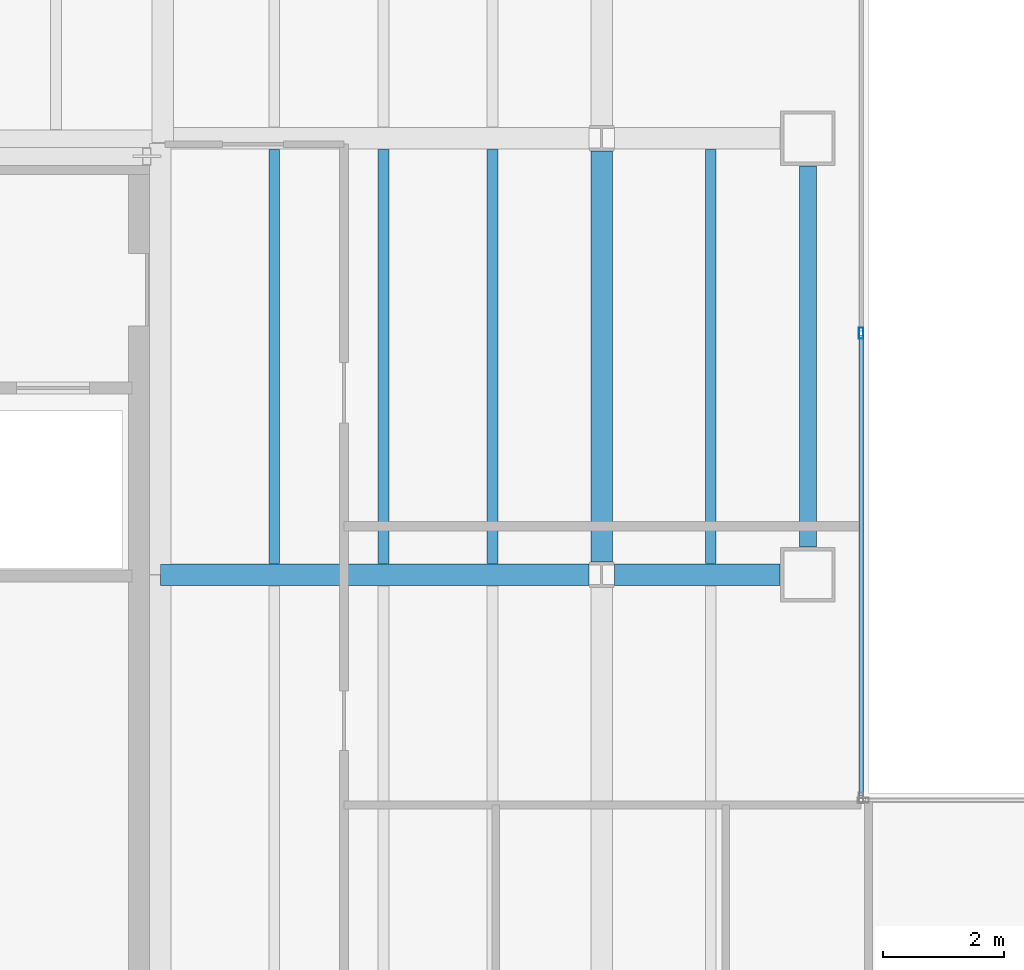
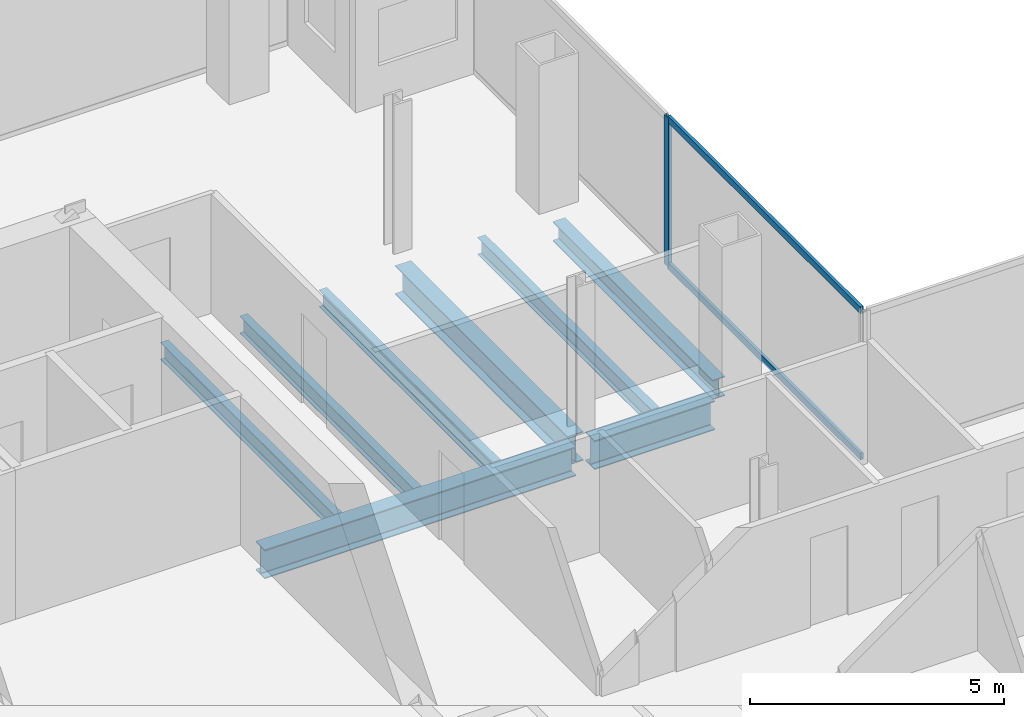
# One storey, part 8 of 23: 8 beams, 3 members, 1 element without a shape of its own.
"""IFC4 building model written with IfcOpenShell, lengths in metres."""

import ifcopenshell
import ifcopenshell.guid

model = None  # the IFC model being written
_history = None  # IfcOwnerHistory: only IFC2X3 demands one
_inside = {}  # id of a spatial element -> (the spatial element, [elements in it])
_under = {}  # id of a project, library or spatial element -> (it, [spatial elements below it])
_declared = {}  # id of a project -> (the project, [libraries it declares])
_typed = {}  # id of a type object -> (the type object, [elements of that type])
_made_of = {}  # id of a material, layer set ... -> (it, [elements and type objects made of it])


def new_model(schema):
    """Start an empty IFC model of exactly this schema.

    Asked for "IFC4X3", IfcOpenShell would pick the latest addendum, in which some entities
    have other attributes; the version numbers below select the first issue.
    IFC2X3 requires an IfcOwnerHistory on every rooted entity: one is made here for all.
    """
    global model, _history
    if schema == "IFC4X3":
        model = ifcopenshell.file(schema_version=(4, 3, 0, 0))
    else:
        model = ifcopenshell.file(schema=schema)
    _inside.clear()
    _under.clear()
    _declared.clear()
    _typed.clear()
    _made_of.clear()
    _history = None
    if model.schema == "IFC2X3":
        org = make("IfcOrganization", Name="unknown")
        user = make(
            "IfcPersonAndOrganization",
            ThePerson=make("IfcPerson", FamilyName="unknown"),
            TheOrganization=org,
        )
        app = make(
            "IfcApplication",
            ApplicationDeveloper=org,
            Version="unknown",
            ApplicationFullName="unknown",
            ApplicationIdentifier="unknown",
        )
        _history = make(
            "IfcOwnerHistory",
            OwningUser=user,
            OwningApplication=app,
            ChangeAction="ADDED",
            CreationDate=0,
        )
    return model


def make(cls, **values):
    """One entity of the class cls with the attributes given. An attribute that is None is left unset."""
    return model.create_entity(
        cls, **{name: value for name, value in values.items() if value is not None}
    )


def rooted(cls, **values):
    """An entity with a GlobalId (a new one), such as an element, a storey or a relation."""
    return make(cls, GlobalId=ifcopenshell.guid.new(), OwnerHistory=_history, **values)


def si_unit(unit_type, name, prefix=None):
    """IfcSIUnit, for example si_unit("LENGTHUNIT", "METRE", prefix="MILLI")."""
    return make("IfcSIUnit", UnitType=unit_type, Prefix=prefix, Name=name)


def assignment(units):
    """IfcUnitAssignment: the units of a project."""
    return None if units is None else make("IfcUnitAssignment", Units=units)


def point(xyz):
    """IfcCartesianPoint."""
    return None if xyz is None else make("IfcCartesianPoint", Coordinates=xyz)


def direction(xyz):
    """IfcDirection."""
    return None if xyz is None else make("IfcDirection", DirectionRatios=xyz)


def frame(location, z_axis=None, x_axis=None):
    """IfcAxis2Placement3D, a coordinate frame: its origin and axes. An axis left out is left unset."""
    return make(
        "IfcAxis2Placement3D",
        Location=point(location),
        Axis=direction(z_axis),
        RefDirection=direction(x_axis),
    )


def frame_2d(location, x_axis=None):
    """IfcAxis2Placement2D, a coordinate frame in the plane: its origin and x axis."""
    return make(
        "IfcAxis2Placement2D", Location=point(location), RefDirection=direction(x_axis)
    )


def origin():
    """The frame at (0, 0, 0) with its axes left unset."""
    return frame((0.0, 0.0, 0.0))


def origin_2d():
    """The frame at (0, 0) in the plane with its x axis left unset."""
    return frame_2d((0.0, 0.0))


def place(relative_to, where):
    """IfcLocalPlacement: puts the frame where relative to a parent placement (None: the world)."""
    return make(
        "IfcLocalPlacement", PlacementRelTo=relative_to, RelativePlacement=where
    )


def context(
    kind, dimensions, precision=None, world=None, true_north=None, identifier=None
):
    """IfcGeometricRepresentationContext, for example the 3D "Model" context."""
    return make(
        "IfcGeometricRepresentationContext",
        ContextIdentifier=identifier,
        ContextType=kind,
        CoordinateSpaceDimension=dimensions,
        Precision=precision,
        WorldCoordinateSystem=world,
        TrueNorth=true_north,
    )


def subcontext(parent, identifier, kind, view, scale=None):
    """IfcGeometricRepresentationSubContext, for example "Body" below "Model"."""
    return make(
        "IfcGeometricRepresentationSubContext",
        ContextIdentifier=identifier,
        ContextType=kind,
        ParentContext=parent,
        TargetScale=scale,
        TargetView=view,
    )


def project(units=None, contexts=None):
    """IfcProject with its units and contexts."""
    return rooted(
        "IfcProject",
        Name="project",
        RepresentationContexts=contexts,
        UnitsInContext=assignment(units),
    )


def spatial(cls, under=None, at=None, **own):
    """A site, building, storey or space (cls), placed at a placement, below another one or the project."""
    s = rooted(cls, ObjectPlacement=at, **own)
    if under is not None:
        _under.setdefault(under.id(), (under, []))[1].append(s)
    return s


def profile(cls, at=None, kind="AREA", **sizes):
    """A parametric profile (cls). Its sizes go by their IFC names, for example OverallWidth=200.0."""
    return make(cls, ProfileType=kind, Position=at, **sizes)


def hollow_rectangle(**sizes):
    """IfcRectangleHollowProfileDef."""
    return profile("IfcRectangleHollowProfileDef", **sizes)


def i_section(**sizes):
    """IfcIShapeProfileDef."""
    return profile("IfcIShapeProfileDef", **sizes)


def extrude(swept, where, along, depth):
    """IfcExtrudedAreaSolid: the profile swept, set in the frame where, extruded along a direction by depth."""
    return make(
        "IfcExtrudedAreaSolid",
        SweptArea=swept,
        Position=where,
        ExtrudedDirection=direction(along),
        Depth=depth,
    )


def shape(context_of_items, identifier, shape_type, items):
    """IfcShapeRepresentation: the items that make up one representation, for example the "Body"."""
    return make(
        "IfcShapeRepresentation",
        ContextOfItems=context_of_items,
        RepresentationIdentifier=identifier,
        RepresentationType=shape_type,
        Items=items,
    )


def material(Name=None, Category=None):
    """IfcMaterial."""
    return make("IfcMaterial", Name=Name, Category=Category)


def material_profile(
    of_material, cross_section, Name=None, Category=None, Priority=None
):
    """IfcMaterialProfile: a cross section and its material."""
    return make(
        "IfcMaterialProfile",
        Name=Name,
        Material=of_material,
        Profile=cross_section,
        Priority=Priority,
        Category=Category,
    )


def profile_set(profiles, Name=None, composite=None):
    """IfcMaterialProfileSet."""
    return make(
        "IfcMaterialProfileSet",
        Name=Name,
        MaterialProfiles=profiles,
        CompositeProfile=composite,
    )


def made_of(thing, what):
    """Note that an element or type object is made of a material, layer set ...; save() writes the relation."""
    if what is not None:
        _made_of.setdefault(what.id(), (what, []))[1].append(thing)
    return thing


def type_object(cls, material=None, **own):
    """A type object (cls), such as IfcWallType, which elements share."""
    return made_of(rooted(cls, **own), material)


def element(
    cls,
    number,
    at=None,
    inside=None,
    cuts=None,
    type_object=None,
    material=None,
    context=None,
    identifier="Body",
    shape_type=None,
    held_by="IfcProductDefinitionShape",
    body=None,
    shapes=None,
    **own,
):
    """One element of the class cls, such as IfcWall. Its Tag is "e" and its number.

    at: its placement. inside: the storey or other place that contains it. cuts: it is an
    opening in that element (IfcRelVoidsElement). A single representation is given by context,
    identifier, shape_type and body (its items); several are given by shapes. held_by: the class
    of the entity that holds the representations. save() writes the other relations.
    """
    e = rooted(cls, Tag="e%d" % number, ObjectPlacement=at, **own)
    if body is not None:
        shapes = [shape(context, identifier, shape_type, body)]
    if shapes is not None:
        e.Representation = make(held_by, Representations=shapes)
    if inside is not None:
        _inside.setdefault(inside.id(), (inside, []))[1].append(e)
    if cuts is not None:
        rooted(
            "IfcRelVoidsElement", RelatingBuildingElement=cuts, RelatedOpeningElement=e
        )
    if type_object is not None:
        _typed.setdefault(type_object.id(), (type_object, []))[1].append(e)
    return made_of(e, material)


def aggregate(whole, parts):
    """IfcRelAggregates: a whole, such as a stair, and the parts it consists of."""
    return rooted("IfcRelAggregates", RelatingObject=whole, RelatedObjects=parts)


def save(model, path):
    """Write the relations noted so far, then the file.

    IfcRelAggregates (storeys below a building ...), IfcRelContainedInSpatialStructure (elements
    in a storey), IfcRelDefinesByType, IfcRelAssociatesMaterial and IfcRelDeclares: one each for
    every whole, place, type object, material and project.
    """
    for whole, parts in _under.values():
        aggregate(whole, parts)
    for where, things in _inside.values():
        rooted(
            "IfcRelContainedInSpatialStructure",
            RelatedElements=things,
            RelatingStructure=where,
        )
    for kind, things in _typed.values():
        rooted("IfcRelDefinesByType", RelatedObjects=things, RelatingType=kind)
    for what, things in _made_of.values():
        rooted("IfcRelAssociatesMaterial", RelatedObjects=things, RelatingMaterial=what)
    for by, libraries in _declared.values():
        rooted("IfcRelDeclares", RelatingContext=by, RelatedDefinitions=libraries)
    model.write(path)


model = new_model("IFC4")

# Units and contexts
model_context = context("Model", 3, precision=1e-05, world=origin(), true_north=direction((0.0, 1.0)))
body_context = subcontext(model_context, "Body", "Model", "MODEL_VIEW")
ifc_project = project(units=[si_unit("LENGTHUNIT", "METRE"), si_unit("AREAUNIT", "SQUARE_METRE"), si_unit("VOLUMEUNIT", "CUBIC_METRE"), si_unit("PLANEANGLEUNIT", "RADIAN"), si_unit("MASSUNIT", "GRAM", prefix="KILO")], contexts=[model_context])

# Site, building, storey
site_placement = place(None, origin())
site = spatial("IfcSite", under=ifc_project, at=site_placement, CompositionType="ELEMENT")
building_placement = place(site_placement, origin())
building = spatial("IfcBuilding", under=site, at=building_placement, Name="Cobrela Telecom Tower", CompositionType="ELEMENT")
storey_placement = place(building_placement, frame((0.0, 0.0, 144.550048828125)))
storey = spatial("IfcBuildingStorey", under=building, at=storey_placement, Name="L36", CompositionType="ELEMENT", Elevation=144.550048828125)

# Beams
ifc_material_1 = material(Name="Steel ASTM A992 Grade 50", Category="steel")
ifc_material_profile_1 = material_profile(ifc_material_1, i_section(OverallWidth=0.35595703125, OverallDepth=0.696044921875, WebThickness=0.015380859375, FlangeThickness=0.024658203125, FilletRadius=0.01806640625, at=origin_2d()), Name="W27X146")
ifc_profile_set_1 = profile_set([ifc_material_profile_1], Name="Steel ASTM A992 Grade 50")
beam_type_1 = type_object("IfcBeamType", Name="BM-GIRD-05", PredefinedType="USERDEFINED", material=ifc_profile_set_1)
beam_1_placement = place(storey_placement, frame((14.324951171875, 28.800048828125, -0.6181640625), z_axis=(1.0, 0.0, 0.0), x_axis=(0.0, 1.0, 0.0)))
element("IfcBeam", 1, at=beam_1_placement, inside=storey, type_object=beam_type_1, Name="L36 Primary Girder X23", ObjectType="GIRDER", PredefinedType="USERDEFINED", context=body_context, shape_type="SweptSolid", body=[
    extrude(i_section(OverallWidth=0.35595703125, OverallDepth=0.696044921875, WebThickness=0.015380859375, FlangeThickness=0.024658203125, FilletRadius=0.01806640625, at=origin_2d()), origin(), (0.0, 0.0, 1.0), 7.0654296875),
])
beam_2_placement = place(storey_placement, frame((21.8095703125, 28.800048828125, -0.6181640625), z_axis=(1.0, 0.0, 0.0), x_axis=(0.0, 1.0, 0.0)))
element("IfcBeam", 2, at=beam_2_placement, inside=storey, type_object=beam_type_1, Name="L36 Primary Girder X24", ObjectType="GIRDER", PredefinedType="USERDEFINED", context=body_context, shape_type="SweptSolid", body=[
    extrude(i_section(OverallWidth=0.35595703125, OverallDepth=0.696044921875, WebThickness=0.015380859375, FlangeThickness=0.024658203125, FilletRadius=0.01806640625, at=origin_2d()), origin(), (0.0, 0.0, 1.0), 2.7353515625),
])
beam_3_placement = place(storey_placement, frame((21.60009765625, 29.009521484375, -0.6181640625), z_axis=(0.0, 1.0, 0.0), x_axis=(-1.0, 0.0, 0.0)))
element("IfcBeam", 3, at=beam_3_placement, inside=storey, type_object=beam_type_1, Name="L36 Primary Girder Y43", ObjectType="GIRDER", PredefinedType="USERDEFINED", context=body_context, shape_type="SweptSolid", body=[
    extrude(i_section(OverallWidth=0.35595703125, OverallDepth=0.696044921875, WebThickness=0.015380859375, FlangeThickness=0.024658203125, FilletRadius=0.01806640625, at=origin_2d()), origin(), (0.0, 0.0, 1.0), 6.781005859375),
])
ifc_material_profile_2 = material_profile(ifc_material_1, i_section(OverallWidth=0.179931640625, OverallDepth=0.4169921875, WebThickness=0.010986328125, FlangeThickness=0.01806640625, FilletRadius=0.011962890625, at=origin_2d()), Name="W16X57")
ifc_profile_set_2 = profile_set([ifc_material_profile_2], Name="Steel ASTM A992 Grade 50")
beam_type_2 = type_object("IfcBeamType", Name="BM-JOIST-04", PredefinedType="JOIST", material=ifc_profile_set_2)
for number, where, z_axis, x_axis, name in (
    (4, (16.199951171875, 28.98291015625, -0.478515625), (0.0, 1.0, 0.0), (-1.0, 0.0, 0.0), "L36 Secondary Composite Floor Beam J07"),
    (5, (18.0, 28.98291015625, -0.478515625), (0.0, 1.0, 0.0), (-1.0, 0.0, 0.0), "L36 Secondary Composite Floor Beam J12"),
    (6, (19.800048828125, 28.98291015625, -0.478515625), (0.0, 1.0, 0.0), (-1.0, 0.0, 0.0), "L36 Secondary Composite Floor Beam J17"),
    (7, (23.39990234375, 28.98291015625, -0.478515625), (0.0, 1.0, 0.0), (-1.0, 0.0, 0.0), "L36 Secondary Composite Floor Beam J22"),
):
    element("IfcBeam", number, at=place(storey_placement, frame(where, z_axis=z_axis, x_axis=x_axis)), inside=storey, type_object=beam_type_2, Name=name, PredefinedType="JOIST", context=body_context, shape_type="SweptSolid", body=[
        extrude(i_section(OverallWidth=0.179931640625, OverallDepth=0.4169921875, WebThickness=0.010986328125, FlangeThickness=0.01806640625, FilletRadius=0.011962890625, at=origin_2d()), origin(), (0.0, 0.0, 1.0), 6.833984375),
    ])
ifc_material_profile_3 = material_profile(ifc_material_1, i_section(OverallWidth=0.281982421875, OverallDepth=0.467041015625, WebThickness=0.01220703125, FlangeThickness=0.01953125, FilletRadius=0.012939453125, at=origin_2d()), Name="W18X86")
ifc_profile_set_3 = profile_set([ifc_material_profile_3], Name="Steel ASTM A992 Grade 50")
beam_type_3 = type_object("IfcBeamType", Name="BM-SPAND-04", PredefinedType="SPANDREL", material=ifc_profile_set_3)
beam_4_placement = place(storey_placement, frame((25.0, 29.2548828125, -0.503662109375), z_axis=(0.0, 1.0, 0.0), x_axis=(-1.0, 0.0, 0.0)))
element("IfcBeam", 8, at=beam_4_placement, inside=storey, type_object=beam_type_3, Name="L36 Perimeter Spandrel Y45", PredefinedType="SPANDREL", context=body_context, shape_type="SweptSolid", body=[
    extrude(i_section(OverallWidth=0.281982421875, OverallDepth=0.467041015625, WebThickness=0.01220703125, FlangeThickness=0.01953125, FilletRadius=0.012939453125, at=origin_2d()), origin(), (0.0, 0.0, 1.0), 6.2900390625),
])

# Curtain wall, members
ifc_material_2 = material(Name="Anodized Bronze Aluminium 6063-T6", Category="aluminium")
curtain_wall_type = type_object("IfcCurtainWallType", Name="CW-SYS-TEL", PredefinedType="USERDEFINED", material=ifc_material_2)
curtain_wall_placement = place(storey_placement, origin())
curtain_wall = element("IfcCurtainWall", 9, at=curtain_wall_placement, inside=storey, type_object=curtain_wall_type, Name="L36 Unitised Bronze Curtain Wall 10", ObjectType="UNITISED CURTAIN WALL", PredefinedType="USERDEFINED")
ifc_material_profile_4 = material_profile(ifc_material_2, hollow_rectangle(XDim=0.074951171875, YDim=0.179931640625, WallThickness=0.00390625, at=origin_2d()), Name="ALU 75x180x4")
ifc_profile_set_4 = profile_set([ifc_material_profile_4], Name="Anodized Bronze Aluminium 6063-T6")
member_type_1 = type_object("IfcMemberType", Name="CW-SYS-TEL-MUL", PredefinedType="MULLION", material=ifc_profile_set_4)
member_1_placement = place(storey_placement, frame((25.8798828125, 32.784912109375, 0.0), z_axis=(0.0, 0.0, 1.0), x_axis=(1.0, 0.0, 0.0)))
member_1 = element("IfcMember", 10, at=member_1_placement, type_object=member_type_1, Name="CW-TEL mullion 2", PredefinedType="MULLION", context=body_context, shape_type="SweptSolid", body=[
    extrude(hollow_rectangle(XDim=0.074951171875, YDim=0.179931640625, WallThickness=0.00390625, at=origin_2d()), origin(), (0.0, 0.0, 1.0), 3.579833984375),
])
ifc_material_profile_5 = material_profile(ifc_material_2, hollow_rectangle(XDim=0.070068359375, YDim=0.159912109375, WallThickness=0.00390625, at=origin_2d()), Name="ALU 70x160x4")
ifc_profile_set_5 = profile_set([ifc_material_profile_5], Name="Anodized Bronze Aluminium 6063-T6")
member_type_2 = type_object("IfcMemberType", Name="CW-SYS-TEL-TRN", PredefinedType="USERDEFINED", material=ifc_profile_set_5)
member_2_placement = place(storey_placement, frame((25.8798828125, 32.74755859375, 0.034912109375), z_axis=(0.0, -1.0, 0.0), x_axis=(1.0, 0.0, 0.0)))
member_2 = element("IfcMember", 11, at=member_2_placement, type_object=member_type_2, Name="CW-TEL transom 2.1", ObjectType="TRANSOM", PredefinedType="USERDEFINED", context=body_context, shape_type="SweptSolid", body=[
    extrude(hollow_rectangle(XDim=0.070068359375, YDim=0.159912109375, WallThickness=0.00390625, at=origin_2d()), origin(), (0.0, 0.0, 1.0), 7.592529296875),
])
member_3_placement = place(storey_placement, frame((25.8798828125, 32.74755859375, 3.544921875), z_axis=(0.0, -1.0, 0.0), x_axis=(1.0, 0.0, 0.0)))
member_3 = element("IfcMember", 12, at=member_3_placement, type_object=member_type_2, Name="CW-TEL transom 2.2", ObjectType="TRANSOM", PredefinedType="USERDEFINED", context=body_context, shape_type="SweptSolid", body=[
    extrude(hollow_rectangle(XDim=0.070068359375, YDim=0.159912109375, WallThickness=0.00390625, at=origin_2d()), origin(), (0.0, 0.0, 1.0), 7.592529296875),
])
aggregate(curtain_wall, [member_1, member_2, member_3])

save(model, "model.ifc")
